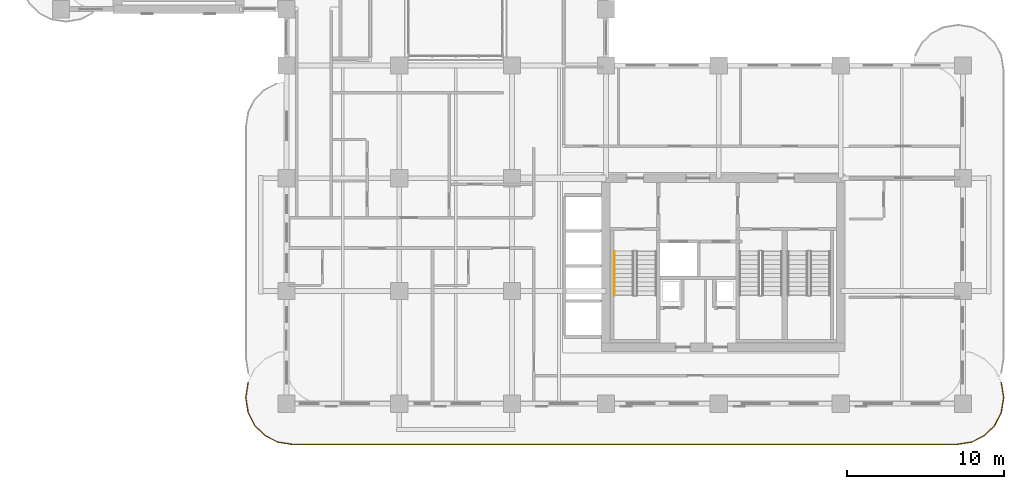
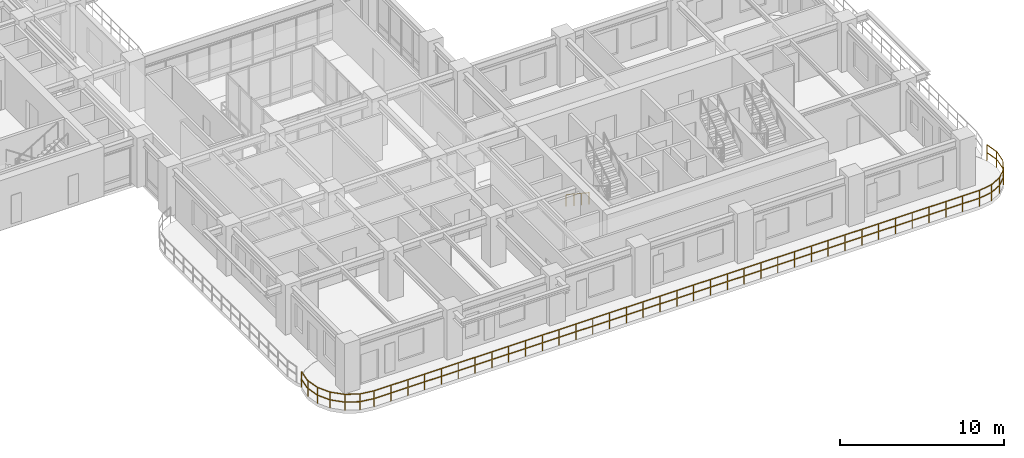
# One storey, part 19 of 22: 2 railings.
"""IFC4 building model written with IfcOpenShell, lengths in metres."""

from ifc_helpers import new_model, si_unit, derived_unit, direction, frame, origin, origin_2d, place, context, subcontext, project, spatial, rectangle, extrude, material, type_object, element, save


model = new_model("IFC4")

# Units and contexts
model_context = context("Model", 3, precision=1e-05, world=origin(), true_north=direction((0.0, 1.0)))
body_context = subcontext(model_context, "Body", "Model", "MODEL_VIEW")
ifc_project = project(units=[si_unit("LENGTHUNIT", "METRE"), si_unit("AREAUNIT", "SQUARE_METRE"), si_unit("VOLUMEUNIT", "CUBIC_METRE"), si_unit("PLANEANGLEUNIT", "RADIAN"), si_unit("MASSUNIT", "GRAM", prefix="KILO"), si_unit("THERMODYNAMICTEMPERATUREUNIT", "KELVIN"), si_unit("POWERUNIT", "WATT"), derived_unit("THERMALTRANSMITTANCEUNIT", [(si_unit("POWERUNIT", "WATT"), 1), (si_unit("AREAUNIT", "SQUARE_METRE"), -1), (si_unit("THERMODYNAMICTEMPERATUREUNIT", "KELVIN"), -1)])], contexts=[model_context])

# Site, building, storey
site_placement = place(None, origin())
site = spatial("IfcSite", under=ifc_project, at=site_placement, CompositionType="ELEMENT")
building_placement = place(site_placement, origin())
building = spatial("IfcBuilding", under=site, at=building_placement, Name="Zahravan Archway Hotel and Residences", CompositionType="ELEMENT")
storey_placement = place(building_placement, frame((0.0, 0.0, 84.199951171875)))
storey = spatial("IfcBuildingStorey", under=building, at=storey_placement, Name="L20", CompositionType="ELEMENT", Elevation=84.199951171875)

# Railings
ifc_material_1 = material(Name="Bronze & Laminated Glass Balustrade", Category="glass")
railing_type_1 = type_object("IfcRailingType", Name="RL-BAL-1200", PredefinedType="BALUSTRADE", material=ifc_material_1)
railing_1_placement = place(storey_placement, frame((60.0556640625, 1.361572265625, 0.0)))
element("IfcRailing", 1, at=railing_1_placement, inside=storey, type_object=railing_type_1, Name="L20 Balustrade RL-SLB-BAL-L20-SA-1", PredefinedType="BALUSTRADE", context=body_context, shape_type="SweptSolid", body=[
    extrude(rectangle(XDim=0.048095703125, YDim=0.048095703125, at=origin_2d()), frame((0.0, 0.0, 1.17578125), z_axis=(0.156329311416, -0.987704989555, 0.0), x_axis=(0.987704989555, 0.156329311416, 0.0)), (0.0, 0.0, 1.0), 0.9228515625),
    extrude(rectangle(XDim=0.048095703125, YDim=0.048095703125, at=origin_2d()), frame((0.0, 0.0, 0.60009765625), z_axis=(0.156329311416, -0.987704989555, 0.0), x_axis=(0.987704989555, 0.156329311416, 0.0)), (0.0, 0.0, 1.0), 0.9228515625),
    extrude(rectangle(XDim=0.048095703125, YDim=0.048095703125, at=origin_2d()), frame((0.144287109375, -0.91162109375, 1.17578125), z_axis=(0.0, -1.0, 0.0), x_axis=(1.0, 0.0, 0.0)), (0.0, 0.0, 1.0), 0.099853515625),
    extrude(rectangle(XDim=0.048095703125, YDim=0.048095703125, at=origin_2d()), frame((0.144287109375, -0.91162109375, 0.60009765625), z_axis=(0.0, -1.0, 0.0), x_axis=(1.0, 0.0, 0.0)), (0.0, 0.0, 1.0), 0.099853515625),
    extrude(rectangle(XDim=0.048095703125, YDim=0.048095703125, at=origin_2d()), frame((0.144287109375, -1.011474609375, 1.17578125), z_axis=(-0.156329311416, -0.987704989555, 0.0), x_axis=(0.987704989555, -0.156329311416, 0.0)), (0.0, 0.0, 1.0), 0.9228515625),
    extrude(rectangle(XDim=0.048095703125, YDim=0.048095703125, at=origin_2d()), frame((0.144287109375, -1.011474609375, 0.60009765625), z_axis=(-0.156329311416, -0.987704989555, 0.0), x_axis=(0.987704989555, -0.156329311416, 0.0)), (0.0, 0.0, 1.0), 0.9228515625),
    extrude(rectangle(XDim=0.048095703125, YDim=0.048095703125, at=origin_2d()), frame((0.0, -1.923095703125, 1.17578125), z_axis=(-0.453866348456, -0.891069771532, 0.0), x_axis=(0.891069771532, -0.453866348456, 0.0)), (0.0, 0.0, 1.0), 0.923095703125),
    extrude(rectangle(XDim=0.048095703125, YDim=0.048095703125, at=origin_2d()), frame((0.0, -1.923095703125, 0.60009765625), z_axis=(-0.453866348456, -0.891069771532, 0.0), x_axis=(0.891069771532, -0.453866348456, 0.0)), (0.0, 0.0, 1.0), 0.923095703125),
    extrude(rectangle(XDim=0.048095703125, YDim=0.048095703125, at=origin_2d()), frame((-0.4189453125, -2.74560546875, 1.17578125), z_axis=(-0.707239012465, -0.706974525176, 0.0), x_axis=(0.706974525176, -0.707239012465, 0.0)), (0.0, 0.0, 1.0), 0.923095703125),
    extrude(rectangle(XDim=0.048095703125, YDim=0.048095703125, at=origin_2d()), frame((-0.4189453125, -2.74560546875, 0.60009765625), z_axis=(-0.707239012465, -0.706974525176, 0.0), x_axis=(0.706974525176, -0.707239012465, 0.0)), (0.0, 0.0, 1.0), 0.923095703125),
    extrude(rectangle(XDim=0.048095703125, YDim=0.048095703125, at=origin_2d()), frame((-1.07177734375, -3.398193359375, 1.17578125), z_axis=(-0.891015268556, -0.453973337542, 0.0), x_axis=(0.453973337542, -0.891015268556, 0.0)), (0.0, 0.0, 1.0), 0.9228515625),
    extrude(rectangle(XDim=0.048095703125, YDim=0.048095703125, at=origin_2d()), frame((-1.07177734375, -3.398193359375, 0.60009765625), z_axis=(-0.891015268556, -0.453973337542, 0.0), x_axis=(0.453973337542, -0.891015268556, 0.0)), (0.0, 0.0, 1.0), 0.9228515625),
    extrude(rectangle(XDim=0.048095703125, YDim=0.048095703125, at=origin_2d()), frame((-1.89404296875, -3.817138671875, 1.17578125), z_axis=(-0.98766411426, -0.156587347521, 0.0), x_axis=(0.156587347521, -0.98766411426, 0.0)), (0.0, 0.0, 1.0), 0.923095703125),
    extrude(rectangle(XDim=0.048095703125, YDim=0.048095703125, at=origin_2d()), frame((-1.89404296875, -3.817138671875, 0.60009765625), z_axis=(-0.98766411426, -0.156587347521, 0.0), x_axis=(0.156587347521, -0.98766411426, 0.0)), (0.0, 0.0, 1.0), 0.923095703125),
    extrude(rectangle(XDim=0.048095703125, YDim=0.048095703125, at=origin_2d()), frame((-2.8056640625, -3.961669921875, 1.17578125), z_axis=(-1.0, 0.0, 0.0), x_axis=(0.0, -1.0, 0.0)), (0.0, 0.0, 1.0), 42.5),
    extrude(rectangle(XDim=0.048095703125, YDim=0.048095703125, at=origin_2d()), frame((-2.8056640625, -3.961669921875, 0.60009765625), z_axis=(-1.0, 0.0, 0.0), x_axis=(0.0, -1.0, 0.0)), (0.0, 0.0, 1.0), 42.5),
    extrude(rectangle(XDim=0.048095703125, YDim=0.048095703125, at=origin_2d()), frame((-45.3056640625, -3.961669921875, 1.17578125), z_axis=(-0.98766411426, 0.156587347521, 0.0), x_axis=(-0.156587347521, -0.98766411426, 0.0)), (0.0, 0.0, 1.0), 0.923095703125),
    extrude(rectangle(XDim=0.048095703125, YDim=0.048095703125, at=origin_2d()), frame((-45.3056640625, -3.961669921875, 0.60009765625), z_axis=(-0.98766411426, 0.156587347521, 0.0), x_axis=(-0.156587347521, -0.98766411426, 0.0)), (0.0, 0.0, 1.0), 0.923095703125),
    extrude(rectangle(XDim=0.048095703125, YDim=0.048095703125, at=origin_2d()), frame((-46.21728515625, -3.817138671875, 1.17578125), z_axis=(-0.891015268556, 0.453973337542, 0.0), x_axis=(-0.453973337542, -0.891015268556, 0.0)), (0.0, 0.0, 1.0), 0.9228515625),
    extrude(rectangle(XDim=0.048095703125, YDim=0.048095703125, at=origin_2d()), frame((-46.21728515625, -3.817138671875, 0.60009765625), z_axis=(-0.891015268556, 0.453973337542, 0.0), x_axis=(-0.453973337542, -0.891015268556, 0.0)), (0.0, 0.0, 1.0), 0.9228515625),
    extrude(rectangle(XDim=0.048095703125, YDim=0.048095703125, at=origin_2d()), frame((-47.03955078125, -3.398193359375, 1.17578125), z_axis=(-0.707239012465, 0.706974525176, 0.0), x_axis=(-0.706974525176, -0.707239012465, 0.0)), (0.0, 0.0, 1.0), 0.923095703125),
    extrude(rectangle(XDim=0.048095703125, YDim=0.048095703125, at=origin_2d()), frame((-47.03955078125, -3.398193359375, 0.60009765625), z_axis=(-0.707239012465, 0.706974525176, 0.0), x_axis=(-0.706974525176, -0.707239012465, 0.0)), (0.0, 0.0, 1.0), 0.923095703125),
    extrude(rectangle(XDim=0.048095703125, YDim=0.048095703125, at=origin_2d()), frame((-47.6923828125, -2.74560546875, 1.17578125), z_axis=(-0.453866348456, 0.891069771532, 0.0), x_axis=(-0.891069771532, -0.453866348456, 0.0)), (0.0, 0.0, 1.0), 0.923095703125),
    extrude(rectangle(XDim=0.048095703125, YDim=0.048095703125, at=origin_2d()), frame((-47.6923828125, -2.74560546875, 0.60009765625), z_axis=(-0.453866348456, 0.891069771532, 0.0), x_axis=(-0.891069771532, -0.453866348456, 0.0)), (0.0, 0.0, 1.0), 0.923095703125),
    extrude(rectangle(XDim=0.048095703125, YDim=0.048095703125, at=origin_2d()), frame((-48.111328125, -1.923095703125, 1.17578125), z_axis=(-0.156329311416, 0.987704989555, 0.0), x_axis=(-0.987704989555, -0.156329311416, 0.0)), (0.0, 0.0, 1.0), 0.9228515625),
    extrude(rectangle(XDim=0.048095703125, YDim=0.048095703125, at=origin_2d()), frame((-48.111328125, -1.923095703125, 0.60009765625), z_axis=(-0.156329311416, 0.987704989555, 0.0), x_axis=(-0.987704989555, -0.156329311416, 0.0)), (0.0, 0.0, 1.0), 0.9228515625),
    extrude(rectangle(XDim=0.048095703125, YDim=0.048095703125, at=origin_2d()), frame((-48.255615234375, -1.011474609375, 1.17578125), z_axis=(0.0, 1.0, 0.0), x_axis=(-1.0, 0.0, 0.0)), (0.0, 0.0, 1.0), 0.099853515625),
    extrude(rectangle(XDim=0.048095703125, YDim=0.048095703125, at=origin_2d()), frame((-48.255615234375, -1.011474609375, 0.60009765625), z_axis=(0.0, 1.0, 0.0), x_axis=(-1.0, 0.0, 0.0)), (0.0, 0.0, 1.0), 0.099853515625),
    extrude(rectangle(XDim=0.048095703125, YDim=0.048095703125, at=origin_2d()), frame((-48.255615234375, -0.91162109375, 1.17578125), z_axis=(0.156329311416, 0.987704989555, 0.0), x_axis=(-0.987704989555, 0.156329311416, 0.0)), (0.0, 0.0, 1.0), 0.9228515625),
    extrude(rectangle(XDim=0.048095703125, YDim=0.048095703125, at=origin_2d()), frame((-48.255615234375, -0.91162109375, 0.60009765625), z_axis=(0.156329311416, 0.987704989555, 0.0), x_axis=(-0.987704989555, 0.156329311416, 0.0)), (0.0, 0.0, 1.0), 0.9228515625),
    extrude(rectangle(XDim=0.0419921875, YDim=0.0419921875, at=origin_2d()), origin(), (0.0, 0.0, 1.0), 1.15185546875),
    extrude(rectangle(XDim=0.0419921875, YDim=0.0419921875, at=origin_2d()), frame((0.144287109375, -0.91162109375, 0.0)), (0.0, 0.0, 1.0), 1.15185546875),
    extrude(rectangle(XDim=0.0419921875, YDim=0.0419921875, at=origin_2d()), frame((0.0, -1.923095703125, 0.0)), (0.0, 0.0, 1.0), 1.15185546875),
    extrude(rectangle(XDim=0.0419921875, YDim=0.0419921875, at=origin_2d()), frame((-0.4189453125, -2.74560546875, 0.0)), (0.0, 0.0, 1.0), 1.15185546875),
    extrude(rectangle(XDim=0.0419921875, YDim=0.0419921875, at=origin_2d()), frame((-1.07177734375, -3.398193359375, 0.0)), (0.0, 0.0, 1.0), 1.15185546875),
    extrude(rectangle(XDim=0.0419921875, YDim=0.0419921875, at=origin_2d()), frame((-1.89404296875, -3.817138671875, 0.0)), (0.0, 0.0, 1.0), 1.15185546875),
    extrude(rectangle(XDim=0.0419921875, YDim=0.0419921875, at=origin_2d()), frame((-2.8056640625, -3.961669921875, 0.0)), (0.0, 0.0, 1.0), 1.15185546875),
    extrude(rectangle(XDim=0.0419921875, YDim=0.0419921875, at=origin_2d()), frame((-3.986328125, -3.961669921875, 0.0)), (0.0, 0.0, 1.0), 1.15185546875),
    extrude(rectangle(XDim=0.0419921875, YDim=0.0419921875, at=origin_2d()), frame((-5.166748046875, -3.961669921875, 0.0)), (0.0, 0.0, 1.0), 1.15185546875),
    extrude(rectangle(XDim=0.0419921875, YDim=0.0419921875, at=origin_2d()), frame((-6.347412109375, -3.961669921875, 0.0)), (0.0, 0.0, 1.0), 1.15185546875),
    extrude(rectangle(XDim=0.0419921875, YDim=0.0419921875, at=origin_2d()), frame((-7.52783203125, -3.961669921875, 0.0)), (0.0, 0.0, 1.0), 1.15185546875),
    extrude(rectangle(XDim=0.0419921875, YDim=0.0419921875, at=origin_2d()), frame((-8.70849609375, -3.961669921875, 0.0)), (0.0, 0.0, 1.0), 1.15185546875),
    extrude(rectangle(XDim=0.0419921875, YDim=0.0419921875, at=origin_2d()), frame((-9.888916015625, -3.961669921875, 0.0)), (0.0, 0.0, 1.0), 1.15185546875),
    extrude(rectangle(XDim=0.0419921875, YDim=0.0419921875, at=origin_2d()), frame((-11.069580078125, -3.961669921875, 0.0)), (0.0, 0.0, 1.0), 1.15185546875),
    extrude(rectangle(XDim=0.0419921875, YDim=0.0419921875, at=origin_2d()), frame((-12.25, -3.961669921875, 0.0)), (0.0, 0.0, 1.0), 1.15185546875),
    extrude(rectangle(XDim=0.0419921875, YDim=0.0419921875, at=origin_2d()), frame((-13.4306640625, -3.961669921875, 0.0)), (0.0, 0.0, 1.0), 1.15185546875),
    extrude(rectangle(XDim=0.0419921875, YDim=0.0419921875, at=origin_2d()), frame((-14.611328125, -3.961669921875, 0.0)), (0.0, 0.0, 1.0), 1.15185546875),
    extrude(rectangle(XDim=0.0419921875, YDim=0.0419921875, at=origin_2d()), frame((-15.791748046875, -3.961669921875, 0.0)), (0.0, 0.0, 1.0), 1.15185546875),
    extrude(rectangle(XDim=0.0419921875, YDim=0.0419921875, at=origin_2d()), frame((-16.972412109375, -3.961669921875, 0.0)), (0.0, 0.0, 1.0), 1.15185546875),
    extrude(rectangle(XDim=0.0419921875, YDim=0.0419921875, at=origin_2d()), frame((-18.15283203125, -3.961669921875, 0.0)), (0.0, 0.0, 1.0), 1.15185546875),
    extrude(rectangle(XDim=0.0419921875, YDim=0.0419921875, at=origin_2d()), frame((-19.33349609375, -3.961669921875, 0.0)), (0.0, 0.0, 1.0), 1.15185546875),
    extrude(rectangle(XDim=0.0419921875, YDim=0.0419921875, at=origin_2d()), frame((-20.513916015625, -3.961669921875, 0.0)), (0.0, 0.0, 1.0), 1.15185546875),
    extrude(rectangle(XDim=0.0419921875, YDim=0.0419921875, at=origin_2d()), frame((-21.694580078125, -3.961669921875, 0.0)), (0.0, 0.0, 1.0), 1.15185546875),
    extrude(rectangle(XDim=0.0419921875, YDim=0.0419921875, at=origin_2d()), frame((-22.875, -3.961669921875, 0.0)), (0.0, 0.0, 1.0), 1.15185546875),
    extrude(rectangle(XDim=0.0419921875, YDim=0.0419921875, at=origin_2d()), frame((-24.0556640625, -3.961669921875, 0.0)), (0.0, 0.0, 1.0), 1.15185546875),
    extrude(rectangle(XDim=0.0419921875, YDim=0.0419921875, at=origin_2d()), frame((-25.236328125, -3.961669921875, 0.0)), (0.0, 0.0, 1.0), 1.15185546875),
    extrude(rectangle(XDim=0.0419921875, YDim=0.0419921875, at=origin_2d()), frame((-26.416748046875, -3.961669921875, 0.0)), (0.0, 0.0, 1.0), 1.15185546875),
    extrude(rectangle(XDim=0.0419921875, YDim=0.0419921875, at=origin_2d()), frame((-27.597412109375, -3.961669921875, 0.0)), (0.0, 0.0, 1.0), 1.15185546875),
    extrude(rectangle(XDim=0.0419921875, YDim=0.0419921875, at=origin_2d()), frame((-28.77783203125, -3.961669921875, 0.0)), (0.0, 0.0, 1.0), 1.15185546875),
    extrude(rectangle(XDim=0.0419921875, YDim=0.0419921875, at=origin_2d()), frame((-29.95849609375, -3.961669921875, 0.0)), (0.0, 0.0, 1.0), 1.15185546875),
    extrude(rectangle(XDim=0.0419921875, YDim=0.0419921875, at=origin_2d()), frame((-31.138916015625, -3.961669921875, 0.0)), (0.0, 0.0, 1.0), 1.15185546875),
    extrude(rectangle(XDim=0.0419921875, YDim=0.0419921875, at=origin_2d()), frame((-32.319580078125, -3.961669921875, 0.0)), (0.0, 0.0, 1.0), 1.15185546875),
    extrude(rectangle(XDim=0.0419921875, YDim=0.0419921875, at=origin_2d()), frame((-33.5, -3.961669921875, 0.0)), (0.0, 0.0, 1.0), 1.15185546875),
    extrude(rectangle(XDim=0.0419921875, YDim=0.0419921875, at=origin_2d()), frame((-34.6806640625, -3.961669921875, 0.0)), (0.0, 0.0, 1.0), 1.15185546875),
    extrude(rectangle(XDim=0.0419921875, YDim=0.0419921875, at=origin_2d()), frame((-35.861328125, -3.961669921875, 0.0)), (0.0, 0.0, 1.0), 1.15185546875),
    extrude(rectangle(XDim=0.0419921875, YDim=0.0419921875, at=origin_2d()), frame((-37.041748046875, -3.961669921875, 0.0)), (0.0, 0.0, 1.0), 1.15185546875),
    extrude(rectangle(XDim=0.0419921875, YDim=0.0419921875, at=origin_2d()), frame((-38.222412109375, -3.961669921875, 0.0)), (0.0, 0.0, 1.0), 1.15185546875),
    extrude(rectangle(XDim=0.0419921875, YDim=0.0419921875, at=origin_2d()), frame((-39.40283203125, -3.961669921875, 0.0)), (0.0, 0.0, 1.0), 1.15185546875),
    extrude(rectangle(XDim=0.0419921875, YDim=0.0419921875, at=origin_2d()), frame((-40.58349609375, -3.961669921875, 0.0)), (0.0, 0.0, 1.0), 1.15185546875),
    extrude(rectangle(XDim=0.0419921875, YDim=0.0419921875, at=origin_2d()), frame((-41.763916015625, -3.961669921875, 0.0)), (0.0, 0.0, 1.0), 1.15185546875),
    extrude(rectangle(XDim=0.0419921875, YDim=0.0419921875, at=origin_2d()), frame((-42.944580078125, -3.961669921875, 0.0)), (0.0, 0.0, 1.0), 1.15185546875),
    extrude(rectangle(XDim=0.0419921875, YDim=0.0419921875, at=origin_2d()), frame((-44.125, -3.961669921875, 0.0)), (0.0, 0.0, 1.0), 1.15185546875),
    extrude(rectangle(XDim=0.0419921875, YDim=0.0419921875, at=origin_2d()), frame((-45.3056640625, -3.961669921875, 0.0)), (0.0, 0.0, 1.0), 1.15185546875),
    extrude(rectangle(XDim=0.0419921875, YDim=0.0419921875, at=origin_2d()), frame((-46.21728515625, -3.817138671875, 0.0)), (0.0, 0.0, 1.0), 1.15185546875),
    extrude(rectangle(XDim=0.0419921875, YDim=0.0419921875, at=origin_2d()), frame((-47.03955078125, -3.398193359375, 0.0)), (0.0, 0.0, 1.0), 1.15185546875),
    extrude(rectangle(XDim=0.0419921875, YDim=0.0419921875, at=origin_2d()), frame((-47.6923828125, -2.74560546875, 0.0)), (0.0, 0.0, 1.0), 1.15185546875),
    extrude(rectangle(XDim=0.0419921875, YDim=0.0419921875, at=origin_2d()), frame((-48.111328125, -1.923095703125, 0.0)), (0.0, 0.0, 1.0), 1.15185546875),
    extrude(rectangle(XDim=0.0419921875, YDim=0.0419921875, at=origin_2d()), frame((-48.255615234375, -1.011474609375, 0.0)), (0.0, 0.0, 1.0), 1.15185546875),
    extrude(rectangle(XDim=0.0419921875, YDim=0.0419921875, at=origin_2d()), frame((-48.111328125, 0.0, 0.0)), (0.0, 0.0, 1.0), 1.15185546875),
])
ifc_material_2 = material(Name="Brushed Stainless Steel", Category="steel")
railing_type_2 = type_object("IfcRailingType", Name="RL-STH-900", PredefinedType="HANDRAIL", material=ifc_material_2)
railing_2_placement = place(storey_placement, frame((35.35009765625, 9.72998046875, 0.168212890625)))
element("IfcRailing", 2, at=railing_2_placement, inside=storey, type_object=railing_type_2, Name="L20 ST-A1 stair handrail 1", PredefinedType="HANDRAIL", context=body_context, shape_type="SweptSolid", body=[
    extrude(rectangle(XDim=0.048095703125, YDim=0.048095703125, at=origin_2d()), frame((0.0, 0.0, 0.8759765625), z_axis=(0.0, -0.834326358476, 0.551270829586), x_axis=(1.0, 0.0, 0.0)), (0.0, 0.0, 1.0), 3.35595703125),
    extrude(rectangle(XDim=0.0419921875, YDim=0.0419921875, at=origin_2d()), origin(), (0.0, 0.0, 1.0), 0.851806640625),
    extrude(rectangle(XDim=0.0419921875, YDim=0.0419921875, at=origin_2d()), frame((0.0, -0.933349609375, 0.61669921875)), (0.0, 0.0, 1.0), 0.851806640625),
    extrude(rectangle(XDim=0.0419921875, YDim=0.0419921875, at=origin_2d()), frame((0.0, -1.86669921875, 1.2333984375)), (0.0, 0.0, 1.0), 0.851806640625),
    extrude(rectangle(XDim=0.0419921875, YDim=0.0419921875, at=origin_2d()), frame((0.0, -2.800048828125, 1.85009765625)), (0.0, 0.0, 1.0), 0.851806640625),
])

save(model, "model.ifc")
